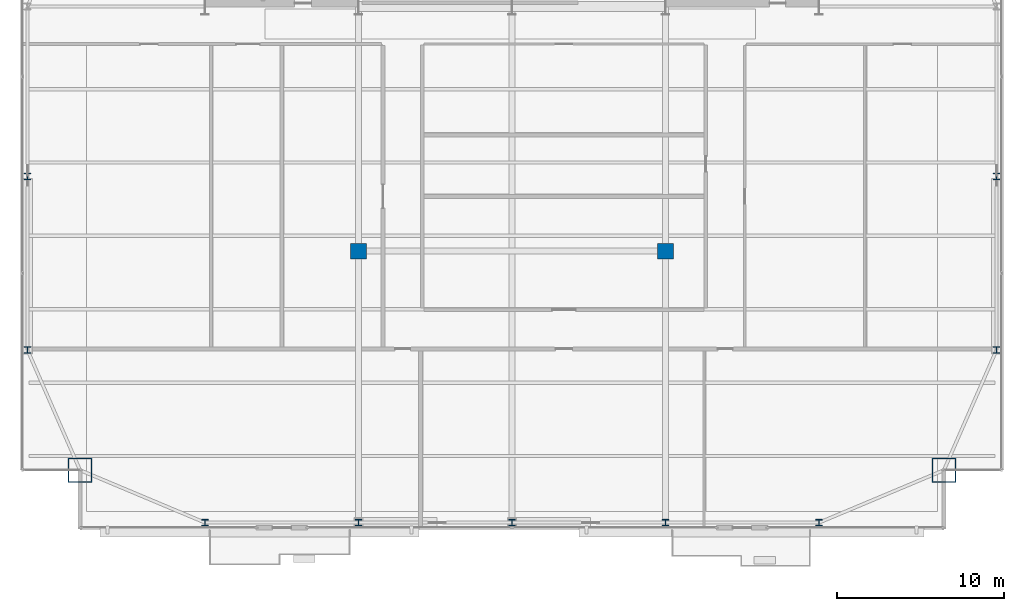
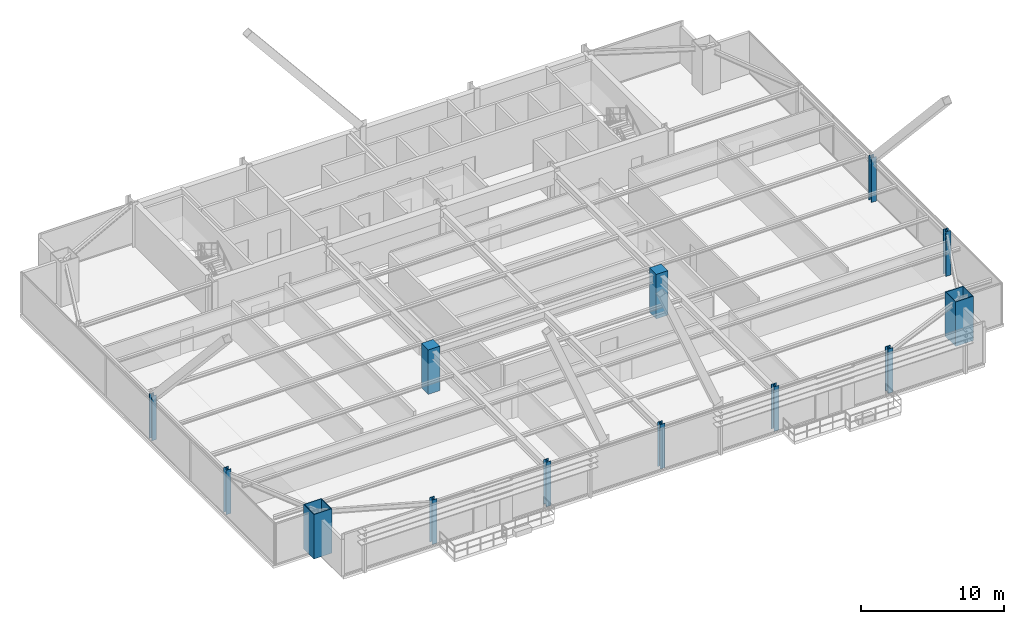
# One storey, part 1 of 37: 13 columns.
"""IFC4 building model written with IfcOpenShell, lengths in metres."""

from ifc_helpers import new_model, si_unit, direction, frame, origin, origin_2d, place, context, subcontext, project, spatial, rectangle, hollow_rectangle, i_section, extrude, source, transform, mapped, material, material_profile, profile_set, type_object, type_shapes, element, save


model = new_model("IFC4")

# Units and contexts
model_context = context("Model", 3, precision=1e-05, world=origin(), true_north=direction((0.0, 1.0)))
body_context = subcontext(model_context, "Body", "Model", "MODEL_VIEW")
ifc_project = project(units=[si_unit("LENGTHUNIT", "METRE"), si_unit("AREAUNIT", "SQUARE_METRE"), si_unit("VOLUMEUNIT", "CUBIC_METRE"), si_unit("PLANEANGLEUNIT", "RADIAN"), si_unit("MASSUNIT", "GRAM", prefix="KILO")], contexts=[model_context])

# Site, building, storey
site_placement = place(None, origin())
site = spatial("IfcSite", under=ifc_project, at=site_placement, CompositionType="ELEMENT")
building_placement = place(site_placement, origin())
building = spatial("IfcBuilding", under=site, at=building_placement, Name="Varnel Quay Broadcast Tower", CompositionType="ELEMENT")
storey_placement = place(building_placement, frame((0.0, 0.0, 125.800048828125)))
storey = spatial("IfcBuildingStorey", under=building, at=storey_placement, Name="L30", CompositionType="ELEMENT", Elevation=125.800048828125)

# Columns
ifc_material_1 = material(Name="Structural Steel CSA G40.21 350WT", Category="steel")
ifc_material_profile_1 = material_profile(ifc_material_1, hollow_rectangle(XDim=1.449951171875, YDim=1.449951171875, WallThickness=0.054931640625, at=origin_2d()), Name="BOX1450X1450X55")
ifc_profile_set_1 = profile_set([ifc_material_profile_1], Name="Structural Steel CSA G40.21 350WT")
column_type_1 = type_object("IfcColumnType", Name="Col_BOX1450X1450X55", PredefinedType="COLUMN", material=ifc_profile_set_1)
shared_shape_1 = source(origin(), body_context, "Body", "SweptSolid", [
    extrude(hollow_rectangle(XDim=1.449951171875, YDim=1.449951171875, WallThickness=0.054931640625, at=origin_2d()), origin(), (0.0, 0.0, 1.0), 3.800048828125),
])
type_shapes(column_type_1, [shared_shape_1])
for number, where, z_axis, x_axis, name in (
    (1, (8.10009765625, 7.800048828125, 0.0), (0.0, 0.0, 1.0), (1.0, 0.0, 0.0), "L30 Column MC-SW"),
    (2, (59.89990234375, 7.800048828125, 0.0), (0.0, 0.0, 1.0), (1.0, 0.0, 0.0), "L30 Column MC-SE"),
):
    element("IfcColumn", number, at=place(storey_placement, frame(where, z_axis=z_axis, x_axis=x_axis)), inside=storey, type_object=column_type_1, Name=name, PredefinedType="COLUMN", context=body_context, shape_type="MappedRepresentation", body=[
        mapped(shared_shape_1, transform((0.0, 0.0, 0.0), x_axis=(1.0, 0.0, 0.0), y_axis=(0.0, 1.0, 0.0), z_axis=(0.0, 0.0, 1.0), scale=1.0)),
    ])
ifc_material_2 = material(Name="Structural Steel CSA G40.21 350W", Category="steel")
ifc_material_profile_2 = material_profile(ifc_material_2, i_section(OverallWidth=0.39794921875, OverallDepth=0.386962890625, WebThickness=0.02099609375, FlangeThickness=0.033203125, FilletRadius=0.01806640625, at=origin_2d()), Name="W360X262")
ifc_profile_set_2 = profile_set([ifc_material_profile_2], Name="Structural Steel CSA G40.21 350W")
column_type_2 = type_object("IfcColumnType", Name="Col_W360X262", PredefinedType="COLUMN", material=ifc_profile_set_2)
shared_shape_2 = source(origin(), body_context, "Body", "SweptSolid", [
    extrude(i_section(OverallWidth=0.39794921875, OverallDepth=0.386962890625, WebThickness=0.02099609375, FlangeThickness=0.033203125, FilletRadius=0.01806640625, at=origin_2d()), origin(), (0.0, 0.0, 1.0), 3.800048828125),
])
type_shapes(column_type_2, [shared_shape_2])
for number, where, z_axis, x_axis, name in (
    (3, (15.60009765625, 4.64990234375, 0.0), (0.0, 0.0, 1.0), (1.0, 0.0, 0.0), "L30 Column TC-S1"),
    (4, (24.800048828125, 4.64990234375, 0.0), (0.0, 0.0, 1.0), (1.0, 0.0, 0.0), "L30 Column TC-S2"),
    (5, (34.0, 4.64990234375, 0.0), (0.0, 0.0, 1.0), (1.0, 0.0, 0.0), "L30 Column TC-S3"),
    (6, (43.199951171875, 4.64990234375, 0.0), (0.0, 0.0, 1.0), (1.0, 0.0, 0.0), "L30 Column TC-S4"),
    (7, (52.39990234375, 4.64990234375, 0.0), (0.0, 0.0, 1.0), (1.0, 0.0, 0.0), "L30 Column TC-S5"),
    (8, (4.949951171875, 15.0, 0.0), (0.0, 0.0, 1.0), (1.0, 0.0, 0.0), "L30 Column TC-W1"),
    (9, (63.050048828125, 15.0, 0.0), (0.0, 0.0, 1.0), (1.0, 0.0, 0.0), "L30 Column TC-E1"),
    (10, (4.949951171875, 25.39990234375, 0.0), (0.0, 0.0, 1.0), (1.0, 0.0, 0.0), "L30 Column TC-W2"),
    (11, (63.050048828125, 25.39990234375, 0.0), (0.0, 0.0, 1.0), (1.0, 0.0, 0.0), "L30 Column TC-E2"),
):
    element("IfcColumn", number, at=place(storey_placement, frame(where, z_axis=z_axis, x_axis=x_axis)), inside=storey, type_object=column_type_2, Name=name, PredefinedType="COLUMN", context=body_context, shape_type="MappedRepresentation", body=[
        mapped(shared_shape_2, transform((0.0, 0.0, 0.0), x_axis=(1.0, 0.0, 0.0), y_axis=(0.0, 1.0, 0.0), z_axis=(0.0, 0.0, 1.0), scale=1.0)),
    ])
ifc_material_3 = material(Name="Concrete CSA A23.3 C50/60", Category="concrete")
ifc_material_profile_3 = material_profile(ifc_material_3, rectangle(XDim=0.949951171875, YDim=0.949951171875, at=origin_2d()), Name="RC950X950")
ifc_profile_set_3 = profile_set([ifc_material_profile_3], Name="Concrete CSA A23.3 C50/60")
column_type_3 = type_object("IfcColumnType", Name="Col_RC950X950", PredefinedType="COLUMN", material=ifc_profile_set_3)
shared_shape_3 = source(origin(), body_context, "Body", "SweptSolid", [
    extrude(rectangle(XDim=0.949951171875, YDim=0.949951171875, at=origin_2d()), origin(), (0.0, 0.0, 1.0), 3.800048828125),
])
type_shapes(column_type_3, [shared_shape_3])
for number, where, z_axis, x_axis, name in (
    (12, (24.800048828125, 20.929931640625, 0.0), (0.0, 0.0, 1.0), (1.0, 0.0, 0.0), "L30 Column IC-01"),
    (13, (43.199951171875, 20.929931640625, 0.0), (0.0, 0.0, 1.0), (1.0, 0.0, 0.0), "L30 Column IC-02"),
):
    element("IfcColumn", number, at=place(storey_placement, frame(where, z_axis=z_axis, x_axis=x_axis)), inside=storey, type_object=column_type_3, Name=name, PredefinedType="COLUMN", context=body_context, shape_type="MappedRepresentation", body=[
        mapped(shared_shape_3, transform((0.0, 0.0, 0.0), x_axis=(1.0, 0.0, 0.0), y_axis=(0.0, 1.0, 0.0), z_axis=(0.0, 0.0, 1.0), scale=1.0)),
    ])

save(model, "model.ifc")
